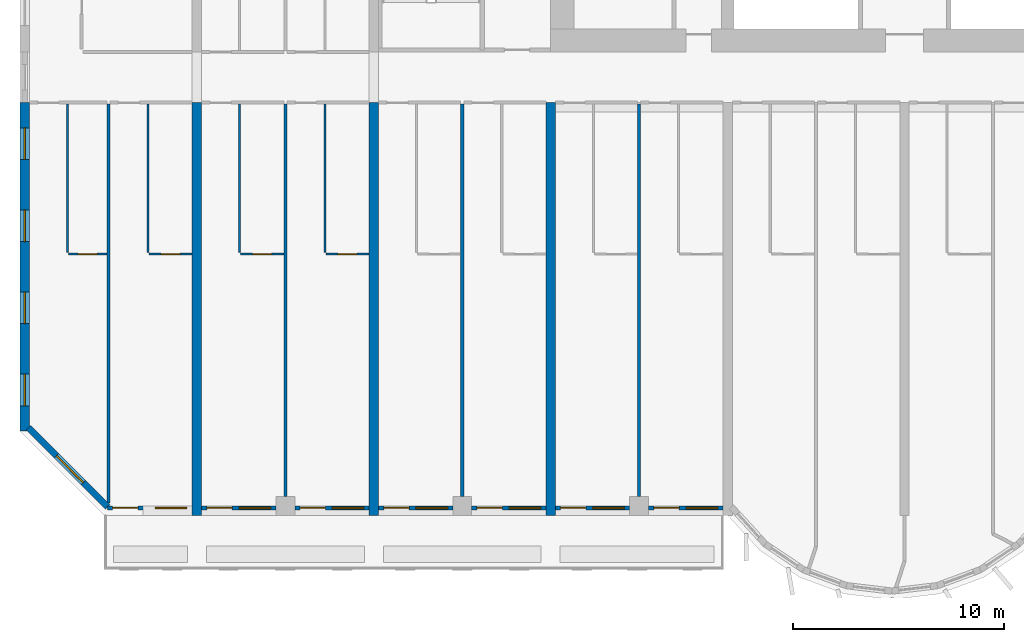
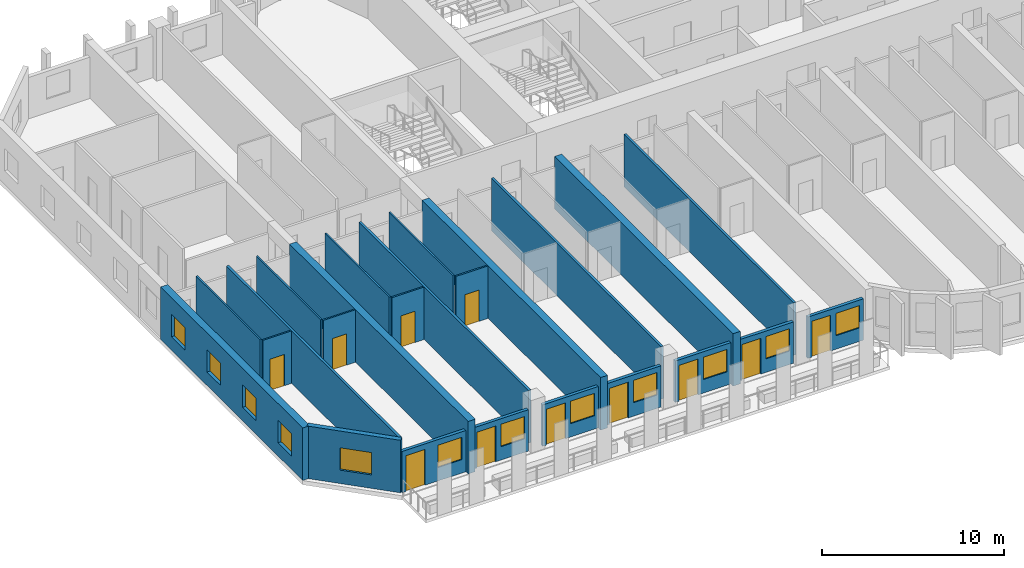
# One storey, part 2 of 15: 24 walls, 12 windows, 11 doors, 23 openings.
"""IFC4 building model written with IfcOpenShell, lengths in metres."""

from ifc_helpers import new_model, si_unit, direction, frame, frame_2d, origin, place, context, subcontext, project, spatial, rectangle, extrude, source, transform, mapped, material, layer, layer_set, type_object, element, fill, save


model = new_model("IFC4")

# Units and contexts
model_context = context("Model", 3, precision=1e-05, world=origin(), true_north=direction((0.0, 1.0)))
body_context = subcontext(model_context, "Body", "Model", "MODEL_VIEW")
ifc_project = project(units=[si_unit("LENGTHUNIT", "METRE"), si_unit("AREAUNIT", "SQUARE_METRE"), si_unit("VOLUMEUNIT", "CUBIC_METRE"), si_unit("PLANEANGLEUNIT", "RADIAN"), si_unit("MASSUNIT", "GRAM", prefix="KILO")], contexts=[model_context])

# Site, building, storey
site_placement = place(None, origin())
site = spatial("IfcSite", under=ifc_project, at=site_placement, CompositionType="ELEMENT")
building_placement = place(site_placement, origin())
building = spatial("IfcBuilding", under=site, at=building_placement, Name="Vanashikhar Sky Hotel", CompositionType="ELEMENT")
storey_placement = place(building_placement, frame((0.0, 0.0, 31.60009765625)))
storey = spatial("IfcBuildingStorey", under=building, at=storey_placement, Name="L06", CompositionType="ELEMENT", Elevation=31.60009765625)

# Wall, openings, windows
ifc_material_1 = material(Name="Concrete M80", Category="concrete")
ifc_layer_1 = layer(ifc_material_1, 0.449951171875)
ifc_layer_set_1 = layer_set([ifc_layer_1], Name="RC shear wall 450 Concrete M80")
wall_type_1 = type_object("IfcWallType", Name="RC shear wall 450 Concrete M80", PredefinedType="SHEAR", material=ifc_layer_set_1)
shared_shape_1 = source(origin(), body_context, "Body", "SweptSolid", [
    extrude(rectangle(XDim=15.60009765625, YDim=0.449951171875, at=frame_2d((7.800048828125, 0.0))), origin(), (0.0, 0.0, 1.0), 3.52001953125),
])
wall_1_placement = place(storey_placement, frame((0.22509765625, 4.0, 0.0), z_axis=(0.0, 0.0, 1.0), x_axis=(0.0, 1.0, 0.0)))
wall_1 = element("IfcWall", 1, at=wall_1_placement, inside=storey, type_object=wall_type_1, Name="CW-L06-XW01-1", PredefinedType="SHEAR", context=body_context, shape_type="MappedRepresentation", body=[
    mapped(shared_shape_1, transform((0.0, 0.0, 0.0), scale=1.0)),
])
shared_shape_2 = source(origin(), body_context, "Body", "SweptSolid", [
    extrude(rectangle(XDim=1.5, YDim=1.5, at=frame_2d((0.75, 0.75))), frame((0.0, 0.23486328125, 0.0), z_axis=(0.0, -1.0, 0.0), x_axis=(1.0, 0.0, 0.0)), (0.0, 0.0, 1.0), 0.469970703125),
])
opening_1_placement = place(wall_1_placement, frame((1.199951171875, 0.0, 0.89990234375)))
opening_1 = element("IfcOpeningElement", 2, at=opening_1_placement, cuts=wall_1, Name="Opening WN-1", PredefinedType="OPENING", context=body_context, shape_type="MappedRepresentation", body=[
    mapped(shared_shape_2, transform((0.0, 0.0, 0.0), scale=1.0)),
])
opening_2_placement = place(wall_1_placement, frame((5.10009765625, 0.0, 0.89990234375)))
opening_2 = element("IfcOpeningElement", 3, at=opening_2_placement, cuts=wall_1, Name="Opening WN-1", PredefinedType="OPENING", context=body_context, shape_type="MappedRepresentation", body=[
    mapped(shared_shape_2, transform((0.0, 0.0, 0.0), scale=1.0)),
])
opening_3_placement = place(wall_1_placement, frame((9.0, 0.0, 0.89990234375)))
opening_3 = element("IfcOpeningElement", 4, at=opening_3_placement, cuts=wall_1, Name="Opening WN-1", PredefinedType="OPENING", context=body_context, shape_type="MappedRepresentation", body=[
    mapped(shared_shape_2, transform((0.0, 0.0, 0.0), scale=1.0)),
])
opening_4_placement = place(wall_1_placement, frame((12.89990234375, 0.0, 0.89990234375)))
opening_4 = element("IfcOpeningElement", 5, at=opening_4_placement, cuts=wall_1, Name="Opening WN-1", PredefinedType="OPENING", context=body_context, shape_type="MappedRepresentation", body=[
    mapped(shared_shape_2, transform((0.0, 0.0, 0.0), scale=1.0)),
])
ifc_material_2 = material(Name="Glass", Category="glass")
window_type_1 = type_object("IfcWindowType", Name="Window 1500 x 1500", PartitioningType="SINGLE_PANEL", PredefinedType="WINDOW", material=ifc_material_2)
shared_shape_3 = source(origin(), body_context, "Body", "SweptSolid", [
    extrude(rectangle(XDim=1.5, YDim=1.5, at=frame_2d((0.75, 0.75))), frame((0.0, 0.030029296875, 0.0), z_axis=(0.0, -1.0, 0.0), x_axis=(1.0, 0.0, 0.0)), (0.0, 0.0, 1.0), 0.06005859375),
])
window_1_placement = place(opening_1_placement, origin())
window_1 = element("IfcWindow", 6, at=window_1_placement, inside=storey, type_object=window_type_1, Name="Window WN-1", OverallHeight=1.5, OverallWidth=1.5, PartitioningType="SINGLE_PANEL", PredefinedType="WINDOW", context=body_context, shape_type="MappedRepresentation", body=[
    mapped(shared_shape_3, transform((0.0, 0.0, 0.0), scale=1.0)),
])
fill(opening_1, window_1)
window_2_placement = place(opening_2_placement, origin())
window_2 = element("IfcWindow", 7, at=window_2_placement, inside=storey, type_object=window_type_1, Name="Window WN-1", OverallHeight=1.5, OverallWidth=1.5, PartitioningType="SINGLE_PANEL", PredefinedType="WINDOW", context=body_context, shape_type="MappedRepresentation", body=[
    mapped(shared_shape_3, transform((0.0, 0.0, 0.0), scale=1.0)),
])
fill(opening_2, window_2)
window_3_placement = place(opening_3_placement, origin())
window_3 = element("IfcWindow", 8, at=window_3_placement, inside=storey, type_object=window_type_1, Name="Window WN-1", OverallHeight=1.5, OverallWidth=1.5, PartitioningType="SINGLE_PANEL", PredefinedType="WINDOW", context=body_context, shape_type="MappedRepresentation", body=[
    mapped(shared_shape_3, transform((0.0, 0.0, 0.0), scale=1.0)),
])
fill(opening_3, window_3)
window_4_placement = place(opening_4_placement, origin())
window_4 = element("IfcWindow", 9, at=window_4_placement, inside=storey, type_object=window_type_1, Name="Window WN-1", OverallHeight=1.5, OverallWidth=1.5, PartitioningType="SINGLE_PANEL", PredefinedType="WINDOW", context=body_context, shape_type="MappedRepresentation", body=[
    mapped(shared_shape_3, transform((0.0, 0.0, 0.0), scale=1.0)),
])
fill(opening_4, window_4)

# Walls
shared_shape_4 = source(origin(), body_context, "Body", "SweptSolid", [
    extrude(rectangle(XDim=19.60009765625, YDim=0.449951171875, at=frame_2d((9.800048828125, 0.0))), origin(), (0.0, 0.0, 1.0), 3.52001953125),
])
for number, where, z_axis, x_axis, name in (
    (10, (8.39990234375, 0.0, 0.0), (0.0, 0.0, 1.0), (0.0, 1.0, 0.0), "CW-L06-XW02-1"),
    (11, (16.800048828125, 0.0, 0.0), (0.0, 0.0, 1.0), (0.0, 1.0, 0.0), "CW-L06-XW03-1"),
    (12, (25.199951171875, 0.0, 0.0), (0.0, 0.0, 1.0), (0.0, 1.0, 0.0), "CW-L06-XW04-1"),
):
    element("IfcWall", number, at=place(storey_placement, frame(where, z_axis=z_axis, x_axis=x_axis)), inside=storey, type_object=wall_type_1, Name=name, PredefinedType="SHEAR", context=body_context, shape_type="MappedRepresentation", body=[
        mapped(shared_shape_4, transform((0.0, 0.0, 0.0), scale=1.0)),
    ])

# Wall, openings, window, door
ifc_material_3 = material(Name="Concrete M50", Category="concrete")
ifc_layer_2 = layer(ifc_material_3, 0.199951171875)
ifc_layer_set_2 = layer_set([ifc_layer_2], Name="Front window wall 200")
wall_type_2 = type_object("IfcWallType", Name="Front window wall 200", PredefinedType="SOLIDWALL", material=ifc_layer_set_2)
shared_shape_5 = source(origin(), body_context, "Body", "SweptSolid", [
    extrude(rectangle(XDim=4.030029296875, YDim=0.199951171875, at=frame_2d((2.01513671875, 0.0))), origin(), (0.0, 0.0, 1.0), 2.77001953125),
])
wall_2_placement = place(storey_placement, frame((4.14501953125, 0.35009765625, 0.0), z_axis=(0.0, 0.0, 1.0), x_axis=(1.0, 0.0, 0.0)))
wall_2 = element("IfcWall", 13, at=wall_2_placement, inside=storey, type_object=wall_type_2, Name="Front window wall", PredefinedType="SOLIDWALL", context=body_context, shape_type="MappedRepresentation", body=[
    mapped(shared_shape_5, transform((0.0, 0.0, 0.0), scale=1.0)),
])
shared_shape_6 = source(origin(), body_context, "Body", "SweptSolid", [
    extrude(rectangle(XDim=1.199951171875, YDim=2.39990234375, at=frame_2d((0.60009765625, 1.199951171875))), frame((0.0, 0.10986328125, 0.0), z_axis=(0.0, -1.0, 0.0), x_axis=(1.0, 0.0, 0.0)), (0.0, 0.0, 1.0), 0.219970703125),
])
opening_5_placement = place(wall_2_placement, frame((0.25, 0.0, 0.0)))
opening_5 = element("IfcOpeningElement", 14, at=opening_5_placement, cuts=wall_2, Name="Opening BD-01", PredefinedType="OPENING", context=body_context, shape_type="MappedRepresentation", body=[
    mapped(shared_shape_6, transform((0.0, 0.0, 0.0), scale=1.0)),
])
shared_shape_7 = source(origin(), body_context, "Body", "SweptSolid", [
    extrude(rectangle(XDim=1.5, YDim=1.5, at=frame_2d((0.75, 0.75))), frame((0.0, 0.10986328125, 0.0), z_axis=(0.0, -1.0, 0.0), x_axis=(1.0, 0.0, 0.0)), (0.0, 0.0, 1.0), 0.219970703125),
])
opening_6_placement = place(wall_2_placement, frame((2.280029296875, 0.0, 0.89990234375)))
opening_6 = element("IfcOpeningElement", 15, at=opening_6_placement, cuts=wall_2, Name="Opening WN-1", PredefinedType="OPENING", context=body_context, shape_type="MappedRepresentation", body=[
    mapped(shared_shape_7, transform((0.0, 0.0, 0.0), scale=1.0)),
])
window_5_placement = place(opening_6_placement, origin())
window_5 = element("IfcWindow", 16, at=window_5_placement, inside=storey, type_object=window_type_1, Name="Window WN-1", OverallHeight=1.5, OverallWidth=1.5, PartitioningType="SINGLE_PANEL", PredefinedType="WINDOW", context=body_context, shape_type="MappedRepresentation", body=[
    mapped(shared_shape_3, transform((0.0, 0.0, 0.0), scale=1.0)),
])
fill(opening_6, window_5)
ifc_material_4 = material(Name="Aluminium", Category="aluminium")
door_type_1 = type_object("IfcDoorType", Name="Balcony sliding door 1200 x 2400", OperationType="NOTDEFINED", PredefinedType="DOOR", material=ifc_material_4)
shared_shape_8 = source(origin(), body_context, "Body", "SweptSolid", [
    extrude(rectangle(XDim=1.199951171875, YDim=2.39990234375, at=frame_2d((0.60009765625, 1.199951171875))), frame((0.0, 0.02490234375, 0.0), z_axis=(0.0, -1.0, 0.0), x_axis=(1.0, 0.0, 0.0)), (0.0, 0.0, 1.0), 0.050048828125),
])
door_1_placement = place(opening_5_placement, origin())
door_1 = element("IfcDoor", 17, at=door_1_placement, inside=storey, type_object=door_type_1, Name="Balcony sliding door", OperationType="SLIDING_TO_LEFT", OverallHeight=2.39990234375, OverallWidth=1.199951171875, PredefinedType="DOOR", context=body_context, shape_type="MappedRepresentation", body=[
    mapped(shared_shape_8, transform((0.0, 0.0, 0.0), scale=1.0)),
])
fill(opening_5, door_1)

shared_shape_9 = source(origin(), body_context, "Body", "SweptSolid", [
    extrude(rectangle(XDim=3.52490234375, YDim=0.199951171875, at=frame_2d((1.762451171875, 0.0))), origin(), (0.0, 0.0, 1.0), 2.77001953125),
])
wall_3_placement = place(storey_placement, frame((8.625, 0.35009765625, 0.0), z_axis=(0.0, 0.0, 1.0), x_axis=(1.0, 0.0, 0.0)))
wall_3 = element("IfcWall", 18, at=wall_3_placement, inside=storey, type_object=wall_type_2, Name="Front window wall", PredefinedType="SOLIDWALL", context=body_context, shape_type="MappedRepresentation", body=[
    mapped(shared_shape_9, transform((0.0, 0.0, 0.0), scale=1.0)),
])
opening_7_placement = place(wall_3_placement, frame((0.25, 0.0, 0.0)))
opening_7 = element("IfcOpeningElement", 19, at=opening_7_placement, cuts=wall_3, Name="Opening BD-02", PredefinedType="OPENING", context=body_context, shape_type="MappedRepresentation", body=[
    mapped(shared_shape_6, transform((0.0, 0.0, 0.0), scale=1.0)),
])
opening_8_placement = place(wall_3_placement, frame((1.77490234375, 0.0, 0.89990234375)))
opening_8 = element("IfcOpeningElement", 20, at=opening_8_placement, cuts=wall_3, Name="Opening WN-1", PredefinedType="OPENING", context=body_context, shape_type="MappedRepresentation", body=[
    mapped(shared_shape_7, transform((0.0, 0.0, 0.0), scale=1.0)),
])
window_6_placement = place(opening_8_placement, origin())
window_6 = element("IfcWindow", 21, at=window_6_placement, inside=storey, type_object=window_type_1, Name="Window WN-1", OverallHeight=1.5, OverallWidth=1.5, PartitioningType="SINGLE_PANEL", PredefinedType="WINDOW", context=body_context, shape_type="MappedRepresentation", body=[
    mapped(shared_shape_3, transform((0.0, 0.0, 0.0), scale=1.0)),
])
fill(opening_8, window_6)
door_2_placement = place(opening_7_placement, origin())
door_2 = element("IfcDoor", 22, at=door_2_placement, inside=storey, type_object=door_type_1, Name="Balcony sliding door", OperationType="SLIDING_TO_RIGHT", OverallHeight=2.39990234375, OverallWidth=1.199951171875, PredefinedType="DOOR", context=body_context, shape_type="MappedRepresentation", body=[
    mapped(shared_shape_8, transform((0.0, 0.0, 0.0), scale=1.0)),
])
fill(opening_7, door_2)

wall_4_placement = place(storey_placement, frame((13.050048828125, 0.35009765625, 0.0), z_axis=(0.0, 0.0, 1.0), x_axis=(1.0, 0.0, 0.0)))
wall_4 = element("IfcWall", 23, at=wall_4_placement, inside=storey, type_object=wall_type_2, Name="Front window wall", PredefinedType="SOLIDWALL", context=body_context, shape_type="MappedRepresentation", body=[
    mapped(shared_shape_9, transform((0.0, 0.0, 0.0), scale=1.0)),
])
opening_9_placement = place(wall_4_placement, frame((0.25, 0.0, 0.0)))
opening_9 = element("IfcOpeningElement", 24, at=opening_9_placement, cuts=wall_4, Name="Opening BD-03", PredefinedType="OPENING", context=body_context, shape_type="MappedRepresentation", body=[
    mapped(shared_shape_6, transform((0.0, 0.0, 0.0), scale=1.0)),
])
opening_10_placement = place(wall_4_placement, frame((1.77490234375, 0.0, 0.89990234375)))
opening_10 = element("IfcOpeningElement", 25, at=opening_10_placement, cuts=wall_4, Name="Opening WN-1", PredefinedType="OPENING", context=body_context, shape_type="MappedRepresentation", body=[
    mapped(shared_shape_7, transform((0.0, 0.0, 0.0), scale=1.0)),
])
window_7_placement = place(opening_10_placement, origin())
window_7 = element("IfcWindow", 26, at=window_7_placement, inside=storey, type_object=window_type_1, Name="Window WN-1", OverallHeight=1.5, OverallWidth=1.5, PartitioningType="SINGLE_PANEL", PredefinedType="WINDOW", context=body_context, shape_type="MappedRepresentation", body=[
    mapped(shared_shape_3, transform((0.0, 0.0, 0.0), scale=1.0)),
])
fill(opening_10, window_7)
door_3_placement = place(opening_9_placement, origin())
door_3 = element("IfcDoor", 27, at=door_3_placement, inside=storey, type_object=door_type_1, Name="Balcony sliding door", OperationType="SLIDING_TO_LEFT", OverallHeight=2.39990234375, OverallWidth=1.199951171875, PredefinedType="DOOR", context=body_context, shape_type="MappedRepresentation", body=[
    mapped(shared_shape_8, transform((0.0, 0.0, 0.0), scale=1.0)),
])
fill(opening_9, door_3)

wall_5_placement = place(storey_placement, frame((25.425048828125, 0.35009765625, 0.0), z_axis=(0.0, 0.0, 1.0), x_axis=(1.0, 0.0, 0.0)))
wall_5 = element("IfcWall", 28, at=wall_5_placement, inside=storey, type_object=wall_type_2, Name="Front window wall", PredefinedType="SOLIDWALL", context=body_context, shape_type="MappedRepresentation", body=[
    mapped(shared_shape_9, transform((0.0, 0.0, 0.0), scale=1.0)),
])
opening_11_placement = place(wall_5_placement, frame((0.25, 0.0, 0.0)))
opening_11 = element("IfcOpeningElement", 29, at=opening_11_placement, cuts=wall_5, Name="Opening BD-06", PredefinedType="OPENING", context=body_context, shape_type="MappedRepresentation", body=[
    mapped(shared_shape_6, transform((0.0, 0.0, 0.0), scale=1.0)),
])
opening_12_placement = place(wall_5_placement, frame((1.77490234375, 0.0, 0.89990234375)))
opening_12 = element("IfcOpeningElement", 30, at=opening_12_placement, cuts=wall_5, Name="Opening WN-1", PredefinedType="OPENING", context=body_context, shape_type="MappedRepresentation", body=[
    mapped(shared_shape_7, transform((0.0, 0.0, 0.0), scale=1.0)),
])
window_8_placement = place(opening_12_placement, origin())
window_8 = element("IfcWindow", 31, at=window_8_placement, inside=storey, type_object=window_type_1, Name="Window WN-1", OverallHeight=1.5, OverallWidth=1.5, PartitioningType="SINGLE_PANEL", PredefinedType="WINDOW", context=body_context, shape_type="MappedRepresentation", body=[
    mapped(shared_shape_3, transform((0.0, 0.0, 0.0), scale=1.0)),
])
fill(opening_12, window_8)
door_4_placement = place(opening_11_placement, origin())
door_4 = element("IfcDoor", 32, at=door_4_placement, inside=storey, type_object=door_type_1, Name="Balcony sliding door", OperationType="SLIDING_TO_RIGHT", OverallHeight=2.39990234375, OverallWidth=1.199951171875, PredefinedType="DOOR", context=body_context, shape_type="MappedRepresentation", body=[
    mapped(shared_shape_8, transform((0.0, 0.0, 0.0), scale=1.0)),
])
fill(opening_11, door_4)

wall_6_placement = place(storey_placement, frame((29.85009765625, 0.35009765625, 0.0), z_axis=(0.0, 0.0, 1.0), x_axis=(1.0, 0.0, 0.0)))
wall_6 = element("IfcWall", 33, at=wall_6_placement, inside=storey, type_object=wall_type_2, Name="Front window wall", PredefinedType="SOLIDWALL", context=body_context, shape_type="MappedRepresentation", body=[
    mapped(shared_shape_9, transform((0.0, 0.0, 0.0), scale=1.0)),
])
opening_13_placement = place(wall_6_placement, frame((0.25, 0.0, 0.0)))
opening_13 = element("IfcOpeningElement", 34, at=opening_13_placement, cuts=wall_6, Name="Opening BD-07", PredefinedType="OPENING", context=body_context, shape_type="MappedRepresentation", body=[
    mapped(shared_shape_6, transform((0.0, 0.0, 0.0), scale=1.0)),
])
opening_14_placement = place(wall_6_placement, frame((1.77490234375, 0.0, 0.89990234375)))
opening_14 = element("IfcOpeningElement", 35, at=opening_14_placement, cuts=wall_6, Name="Opening WN-1", PredefinedType="OPENING", context=body_context, shape_type="MappedRepresentation", body=[
    mapped(shared_shape_7, transform((0.0, 0.0, 0.0), scale=1.0)),
])
window_9_placement = place(opening_14_placement, origin())
window_9 = element("IfcWindow", 36, at=window_9_placement, inside=storey, type_object=window_type_1, Name="Window WN-1", OverallHeight=1.5, OverallWidth=1.5, PartitioningType="SINGLE_PANEL", PredefinedType="WINDOW", context=body_context, shape_type="MappedRepresentation", body=[
    mapped(shared_shape_3, transform((0.0, 0.0, 0.0), scale=1.0)),
])
fill(opening_14, window_9)
door_5_placement = place(opening_13_placement, origin())
door_5 = element("IfcDoor", 37, at=door_5_placement, inside=storey, type_object=door_type_1, Name="Balcony sliding door", OperationType="SLIDING_TO_LEFT", OverallHeight=2.39990234375, OverallWidth=1.199951171875, PredefinedType="DOOR", context=body_context, shape_type="MappedRepresentation", body=[
    mapped(shared_shape_8, transform((0.0, 0.0, 0.0), scale=1.0)),
])
fill(opening_13, door_5)

shared_shape_10 = source(origin(), body_context, "Body", "SweptSolid", [
    extrude(rectangle(XDim=3.525146484375, YDim=0.199951171875, at=frame_2d((1.7626953125, 0.0))), origin(), (0.0, 0.0, 1.0), 2.77001953125),
])
wall_7_placement = place(storey_placement, frame((17.02490234375, 0.35009765625, 0.0), z_axis=(0.0, 0.0, 1.0), x_axis=(1.0, 0.0, 0.0)))
wall_7 = element("IfcWall", 38, at=wall_7_placement, inside=storey, type_object=wall_type_2, Name="Front window wall", PredefinedType="SOLIDWALL", context=body_context, shape_type="MappedRepresentation", body=[
    mapped(shared_shape_10, transform((0.0, 0.0, 0.0), scale=1.0)),
])
opening_15_placement = place(wall_7_placement, frame((0.25, 0.0, 0.0)))
opening_15 = element("IfcOpeningElement", 39, at=opening_15_placement, cuts=wall_7, Name="Opening BD-04", PredefinedType="OPENING", context=body_context, shape_type="MappedRepresentation", body=[
    mapped(shared_shape_6, transform((0.0, 0.0, 0.0), scale=1.0)),
])
opening_16_placement = place(wall_7_placement, frame((1.77490234375, 0.0, 0.89990234375)))
opening_16 = element("IfcOpeningElement", 40, at=opening_16_placement, cuts=wall_7, Name="Opening WN-1", PredefinedType="OPENING", context=body_context, shape_type="MappedRepresentation", body=[
    mapped(shared_shape_7, transform((0.0, 0.0, 0.0), scale=1.0)),
])
window_10_placement = place(opening_16_placement, origin())
window_10 = element("IfcWindow", 41, at=window_10_placement, inside=storey, type_object=window_type_1, Name="Window WN-1", OverallHeight=1.5, OverallWidth=1.5, PartitioningType="SINGLE_PANEL", PredefinedType="WINDOW", context=body_context, shape_type="MappedRepresentation", body=[
    mapped(shared_shape_3, transform((0.0, 0.0, 0.0), scale=1.0)),
])
fill(opening_16, window_10)
door_6_placement = place(opening_15_placement, origin())
door_6 = element("IfcDoor", 42, at=door_6_placement, inside=storey, type_object=door_type_1, Name="Balcony sliding door", OperationType="SLIDING_TO_RIGHT", OverallHeight=2.39990234375, OverallWidth=1.199951171875, PredefinedType="DOOR", context=body_context, shape_type="MappedRepresentation", body=[
    mapped(shared_shape_8, transform((0.0, 0.0, 0.0), scale=1.0)),
])
fill(opening_15, door_6)

wall_8_placement = place(storey_placement, frame((21.449951171875, 0.35009765625, 0.0), z_axis=(0.0, 0.0, 1.0), x_axis=(1.0, 0.0, 0.0)))
wall_8 = element("IfcWall", 43, at=wall_8_placement, inside=storey, type_object=wall_type_2, Name="Front window wall", PredefinedType="SOLIDWALL", context=body_context, shape_type="MappedRepresentation", body=[
    mapped(shared_shape_10, transform((0.0, 0.0, 0.0), scale=1.0)),
])
opening_17_placement = place(wall_8_placement, frame((0.25, 0.0, 0.0)))
opening_17 = element("IfcOpeningElement", 44, at=opening_17_placement, cuts=wall_8, Name="Opening BD-05", PredefinedType="OPENING", context=body_context, shape_type="MappedRepresentation", body=[
    mapped(shared_shape_6, transform((0.0, 0.0, 0.0), scale=1.0)),
])
opening_18_placement = place(wall_8_placement, frame((1.77490234375, 0.0, 0.89990234375)))
opening_18 = element("IfcOpeningElement", 45, at=opening_18_placement, cuts=wall_8, Name="Opening WN-1", PredefinedType="OPENING", context=body_context, shape_type="MappedRepresentation", body=[
    mapped(shared_shape_7, transform((0.0, 0.0, 0.0), scale=1.0)),
])
window_11_placement = place(opening_18_placement, origin())
window_11 = element("IfcWindow", 46, at=window_11_placement, inside=storey, type_object=window_type_1, Name="Window WN-1", OverallHeight=1.5, OverallWidth=1.5, PartitioningType="SINGLE_PANEL", PredefinedType="WINDOW", context=body_context, shape_type="MappedRepresentation", body=[
    mapped(shared_shape_3, transform((0.0, 0.0, 0.0), scale=1.0)),
])
fill(opening_18, window_11)
door_7_placement = place(opening_17_placement, origin())
door_7 = element("IfcDoor", 47, at=door_7_placement, inside=storey, type_object=door_type_1, Name="Balcony sliding door", OperationType="SLIDING_TO_LEFT", OverallHeight=2.39990234375, OverallWidth=1.199951171875, PredefinedType="DOOR", context=body_context, shape_type="MappedRepresentation", body=[
    mapped(shared_shape_8, transform((0.0, 0.0, 0.0), scale=1.0)),
])
fill(opening_17, door_7)

# Wall, opening, window
ifc_layer_3 = layer(ifc_material_3, 0.300048828125)
ifc_layer_set_3 = layer_set([ifc_layer_3], Name="Lobe wall 300")
wall_type_3 = type_object("IfcWallType", Name="Lobe wall 300", PredefinedType="SOLIDWALL", material=ifc_layer_set_3)
shared_shape_11 = source(origin(), body_context, "Body", "SweptSolid", [
    extrude(rectangle(XDim=5.32568359375, YDim=0.300048828125, at=frame_2d((2.662841796875, 0.0))), origin(), (0.0, 0.0, 1.0), 3.52001953125),
])
wall_9_placement = place(storey_placement, frame((0.39990234375, 4.165771484375, 0.0), z_axis=(0.0, 0.0, 1.0), x_axis=(0.707106781187, -0.707106781187, 0.0)))
wall_9 = element("IfcWall", 48, at=wall_9_placement, inside=storey, type_object=wall_type_3, Name="Corner wall", PredefinedType="SOLIDWALL", context=body_context, shape_type="MappedRepresentation", body=[
    mapped(shared_shape_11, transform((0.0, 0.0, 0.0), scale=1.0)),
])
shared_shape_12 = source(origin(), body_context, "Body", "SweptSolid", [
    extrude(rectangle(XDim=1.800048828125, YDim=1.5, at=frame_2d((0.89990234375, 0.75))), frame((0.0, 0.16015625, 0.0), z_axis=(0.0, -1.0, 0.0), x_axis=(1.0, 0.0, 0.0)), (0.0, 0.0, 1.0), 0.320068359375),
])
opening_19_placement = place(wall_9_placement, frame((1.888916015625, 0.0, 0.89990234375)))
opening_19 = element("IfcOpeningElement", 49, at=opening_19_placement, cuts=wall_9, Name="Opening WN-4", PredefinedType="OPENING", context=body_context, shape_type="MappedRepresentation", body=[
    mapped(shared_shape_12, transform((0.0, 0.0, 0.0), scale=1.0)),
])
window_type_2 = type_object("IfcWindowType", Name="Corner window 1800 x 1500", PartitioningType="SINGLE_PANEL", PredefinedType="WINDOW", material=ifc_material_2)
shared_shape_13 = source(origin(), body_context, "Body", "SweptSolid", [
    extrude(rectangle(XDim=1.800048828125, YDim=1.5, at=frame_2d((0.89990234375, 0.75))), frame((0.0, 0.030029296875, 0.0), z_axis=(0.0, -1.0, 0.0), x_axis=(1.0, 0.0, 0.0)), (0.0, 0.0, 1.0), 0.06005859375),
])
window_12_placement = place(opening_19_placement, origin())
window_12 = element("IfcWindow", 50, at=window_12_placement, inside=storey, type_object=window_type_2, Name="Window WN-4", OverallHeight=1.5, OverallWidth=1.800048828125, PartitioningType="SINGLE_PANEL", PredefinedType="WINDOW", context=body_context, shape_type="MappedRepresentation", body=[
    mapped(shared_shape_13, transform((0.0, 0.0, 0.0), scale=1.0)),
])
fill(opening_19, window_12)

# Walls
ifc_material_5 = material(Name="Gypsum plasterboard partition")
ifc_layer_4 = layer(ifc_material_5, 0.10009765625)
ifc_layer_set_4 = layer_set([ifc_layer_4], Name="Wet room partition 100")
wall_type_4 = type_object("IfcWallType", Name="Wet room partition 100", PredefinedType="PARTITIONING", material=ifc_layer_set_4)
shared_shape_14 = source(origin(), body_context, "Body", "SweptSolid", [
    extrude(rectangle(XDim=7.0498046875, YDim=0.10009765625, at=frame_2d((3.52490234375, 0.0))), origin(), (0.0, 0.0, 1.0), 3.52001953125),
])
for number, where, z_axis, x_axis, name in (
    (51, (2.25, 12.47509765625, 0.0), (0.0, 0.0, 1.0), (0.0, 1.0, 0.0), "W-L06-PW001"),
    (52, (6.074951171875, 12.47509765625, 0.0), (0.0, 0.0, 1.0), (0.0, 1.0, 0.0), "W-L06-PW004"),
    (53, (10.425048828125, 12.47509765625, 0.0), (0.0, 0.0, 1.0), (0.0, 1.0, 0.0), "W-L06-PW008"),
    (54, (14.47509765625, 12.47509765625, 0.0), (0.0, 0.0, 1.0), (0.0, 1.0, 0.0), "W-L06-PW011"),
):
    element("IfcWall", number, at=place(storey_placement, frame(where, z_axis=z_axis, x_axis=x_axis)), inside=storey, type_object=wall_type_4, Name=name, PredefinedType="PARTITIONING", context=body_context, shape_type="MappedRepresentation", body=[
        mapped(shared_shape_14, transform((0.0, 0.0, 0.0), scale=1.0)),
    ])

# Wall, opening, door
shared_shape_15 = source(origin(), body_context, "Body", "SweptSolid", [
    extrude(rectangle(XDim=1.824951171875, YDim=0.10009765625, at=frame_2d((0.91259765625, 0.0))), origin(), (0.0, 0.0, 1.0), 3.52001953125),
])
wall_10_placement = place(storey_placement, frame((2.300048828125, 12.39990234375, 0.0), z_axis=(0.0, 0.0, 1.0), x_axis=(1.0, 0.0, 0.0)))
wall_10 = element("IfcWall", 55, at=wall_10_placement, inside=storey, type_object=wall_type_4, Name="W-L06-PW002", PredefinedType="PARTITIONING", context=body_context, shape_type="MappedRepresentation", body=[
    mapped(shared_shape_15, transform((0.0, 0.0, 0.0), scale=1.0)),
])
shared_shape_16 = source(origin(), body_context, "Body", "SweptSolid", [
    extrude(rectangle(XDim=0.89990234375, YDim=2.10009765625, at=frame_2d((0.449951171875, 1.050048828125))), frame((0.0, 0.06005859375, 0.0), z_axis=(0.0, -1.0, 0.0), x_axis=(1.0, 0.0, 0.0)), (0.0, 0.0, 1.0), 0.1201171875),
])
opening_20_placement = place(wall_10_placement, frame((0.4619140625, 0.0, 0.0)))
opening_20 = element("IfcOpeningElement", 56, at=opening_20_placement, cuts=wall_10, Name="Opening D-02", PredefinedType="OPENING", context=body_context, shape_type="MappedRepresentation", body=[
    mapped(shared_shape_16, transform((0.0, 0.0, 0.0), scale=1.0)),
])
ifc_material_6 = material(Name="Timber door", Category="wood")
door_type_2 = type_object("IfcDoorType", Name="Internal door 900", OperationType="NOTDEFINED", PredefinedType="DOOR", material=ifc_material_6)
shared_shape_17 = source(origin(), body_context, "Body", "SweptSolid", [
    extrude(rectangle(XDim=0.89990234375, YDim=2.10009765625, at=frame_2d((0.449951171875, 1.050048828125))), frame((0.0, 0.02490234375, 0.0), z_axis=(0.0, -1.0, 0.0), x_axis=(1.0, 0.0, 0.0)), (0.0, 0.0, 1.0), 0.050048828125),
])
door_8_placement = place(opening_20_placement, origin())
door_8 = element("IfcDoor", 57, at=door_8_placement, inside=storey, type_object=door_type_2, Name="D-L06-001", OperationType="SINGLE_SWING_LEFT", OverallHeight=2.10009765625, OverallWidth=0.89990234375, PredefinedType="DOOR", context=body_context, shape_type="MappedRepresentation", body=[
    mapped(shared_shape_17, transform((0.0, 0.0, 0.0), scale=1.0)),
])
fill(opening_20, door_8)

shared_shape_18 = source(origin(), body_context, "Body", "SweptSolid", [
    extrude(rectangle(XDim=2.050048828125, YDim=0.10009765625, at=frame_2d((1.02490234375, 0.0))), origin(), (0.0, 0.0, 1.0), 3.52001953125),
])
wall_11_placement = place(storey_placement, frame((6.125, 12.39990234375, 0.0), z_axis=(0.0, 0.0, 1.0), x_axis=(1.0, 0.0, 0.0)))
wall_11 = element("IfcWall", 58, at=wall_11_placement, inside=storey, type_object=wall_type_4, Name="W-L06-PW005", PredefinedType="PARTITIONING", context=body_context, shape_type="MappedRepresentation", body=[
    mapped(shared_shape_18, transform((0.0, 0.0, 0.0), scale=1.0)),
])
opening_21_placement = place(wall_11_placement, frame((0.574951171875, 0.0, 0.0)))
opening_21 = element("IfcOpeningElement", 59, at=opening_21_placement, cuts=wall_11, Name="Opening D-02", PredefinedType="OPENING", context=body_context, shape_type="MappedRepresentation", body=[
    mapped(shared_shape_16, transform((0.0, 0.0, 0.0), scale=1.0)),
])
door_9_placement = place(opening_21_placement, origin())
door_9 = element("IfcDoor", 60, at=door_9_placement, inside=storey, type_object=door_type_2, Name="D-L06-003", OperationType="SINGLE_SWING_LEFT", OverallHeight=2.10009765625, OverallWidth=0.89990234375, PredefinedType="DOOR", context=body_context, shape_type="MappedRepresentation", body=[
    mapped(shared_shape_17, transform((0.0, 0.0, 0.0), scale=1.0)),
])
fill(opening_21, door_9)

wall_12_placement = place(storey_placement, frame((14.52490234375, 12.39990234375, 0.0), z_axis=(0.0, 0.0, 1.0), x_axis=(1.0, 0.0, 0.0)))
wall_12 = element("IfcWall", 61, at=wall_12_placement, inside=storey, type_object=wall_type_4, Name="W-L06-PW012", PredefinedType="PARTITIONING", context=body_context, shape_type="MappedRepresentation", body=[
    mapped(shared_shape_18, transform((0.0, 0.0, 0.0), scale=1.0)),
])
opening_22_placement = place(wall_12_placement, frame((0.574951171875, 0.0, 0.0)))
opening_22 = element("IfcOpeningElement", 62, at=opening_22_placement, cuts=wall_12, Name="Opening D-02", PredefinedType="OPENING", context=body_context, shape_type="MappedRepresentation", body=[
    mapped(shared_shape_16, transform((0.0, 0.0, 0.0), scale=1.0)),
])
door_10_placement = place(opening_22_placement, origin())
door_10 = element("IfcDoor", 63, at=door_10_placement, inside=storey, type_object=door_type_2, Name="D-L06-007", OperationType="SINGLE_SWING_LEFT", OverallHeight=2.10009765625, OverallWidth=0.89990234375, PredefinedType="DOOR", context=body_context, shape_type="MappedRepresentation", body=[
    mapped(shared_shape_17, transform((0.0, 0.0, 0.0), scale=1.0)),
])
fill(opening_22, door_10)

# Wall
ifc_layer_5 = layer(ifc_material_5, 0.14990234375)
ifc_layer_set_5 = layer_set([ifc_layer_5], Name="Corridor and demising partition 150")
wall_type_5 = type_object("IfcWallType", Name="Corridor and demising partition 150", PredefinedType="PARTITIONING", material=ifc_layer_set_5)
shared_shape_19 = source(origin(), body_context, "Body", "SweptSolid", [
    extrude(rectangle(XDim=18.947021484375, YDim=0.14990234375, at=frame_2d((9.4736328125, 0.0))), origin(), (0.0, 0.0, 1.0), 3.52001953125),
])
wall_13_placement = place(storey_placement, frame((4.199951171875, 0.577880859375, 0.0), z_axis=(0.0, 0.0, 1.0), x_axis=(0.0, 1.0, 0.0)))
element("IfcWall", 64, at=wall_13_placement, inside=storey, type_object=wall_type_5, Name="W-L06-PW007", PredefinedType="PARTITIONING", context=body_context, shape_type="MappedRepresentation", body=[
    mapped(shared_shape_19, transform((0.0, 0.0, 0.0), scale=1.0)),
])

# Wall, opening, door
shared_shape_20 = source(origin(), body_context, "Body", "SweptSolid", [
    extrude(rectangle(XDim=2.0498046875, YDim=0.10009765625, at=frame_2d((1.02490234375, 0.0))), origin(), (0.0, 0.0, 1.0), 3.52001953125),
])
wall_14_placement = place(storey_placement, frame((10.47509765625, 12.39990234375, 0.0), z_axis=(0.0, 0.0, 1.0), x_axis=(1.0, 0.0, 0.0)))
wall_14 = element("IfcWall", 65, at=wall_14_placement, inside=storey, type_object=wall_type_4, Name="W-L06-PW009", PredefinedType="PARTITIONING", context=body_context, shape_type="MappedRepresentation", body=[
    mapped(shared_shape_20, transform((0.0, 0.0, 0.0), scale=1.0)),
])
opening_23_placement = place(wall_14_placement, frame((0.574951171875, 0.0, 0.0)))
opening_23 = element("IfcOpeningElement", 66, at=opening_23_placement, cuts=wall_14, Name="Opening D-02", PredefinedType="OPENING", context=body_context, shape_type="MappedRepresentation", body=[
    mapped(shared_shape_16, transform((0.0, 0.0, 0.0), scale=1.0)),
])
door_11_placement = place(opening_23_placement, origin())
door_11 = element("IfcDoor", 67, at=door_11_placement, inside=storey, type_object=door_type_2, Name="D-L06-005", OperationType="SINGLE_SWING_LEFT", OverallHeight=2.10009765625, OverallWidth=0.89990234375, PredefinedType="DOOR", context=body_context, shape_type="MappedRepresentation", body=[
    mapped(shared_shape_17, transform((0.0, 0.0, 0.0), scale=1.0)),
])
fill(opening_23, door_11)

# Walls
shared_shape_21 = source(origin(), body_context, "Body", "SweptSolid", [
    extrude(rectangle(XDim=18.625, YDim=0.14990234375, at=frame_2d((9.3125, 0.0))), origin(), (0.0, 0.0, 1.0), 3.52001953125),
])
for number, where, z_axis, x_axis, name in (
    (68, (12.60009765625, 0.89990234375, 0.0), (0.0, 0.0, 1.0), (0.0, 1.0, 0.0), "W-L06-PW014"),
    (69, (21.0, 0.89990234375, 0.0), (0.0, 0.0, 1.0), (0.0, 1.0, 0.0), "W-L06-PW021"),
    (70, (29.39990234375, 0.89990234375, 0.0), (0.0, 0.0, 1.0), (0.0, 1.0, 0.0), "W-L06-PW028"),
):
    element("IfcWall", number, at=place(storey_placement, frame(where, z_axis=z_axis, x_axis=x_axis)), inside=storey, type_object=wall_type_5, Name=name, PredefinedType="PARTITIONING", context=body_context, shape_type="MappedRepresentation", body=[
        mapped(shared_shape_21, transform((0.0, 0.0, 0.0), scale=1.0)),
    ])

save(model, "model.ifc")
